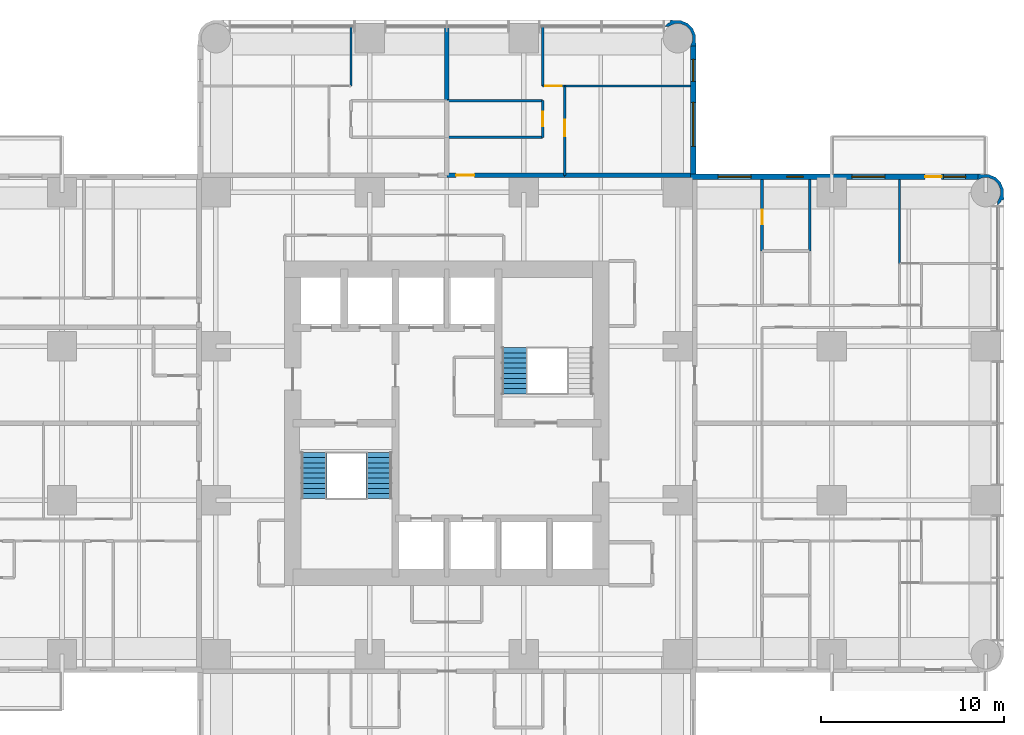
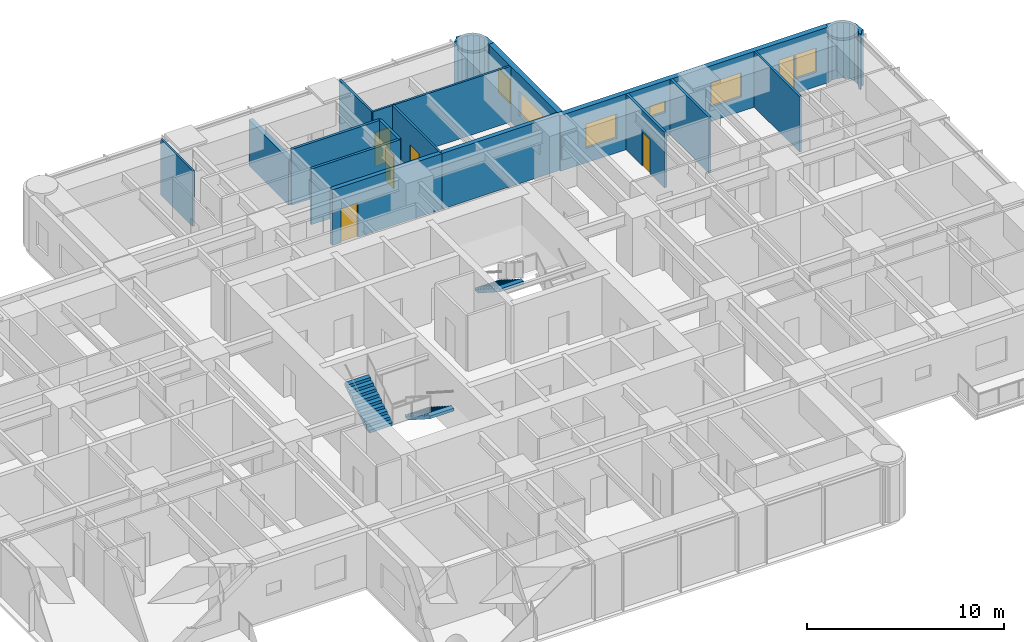
# One storey, part 12 of 15: 18 walls, 6 doors, 6 windows, 3 stair flights, 12 openings, 2 elements without a shape of their own.
"""IFC4 building model written with IfcOpenShell, lengths in metres."""

from ifc_helpers import new_model, si_unit, direction, frame, frame_2d, origin, place, context, subcontext, project, spatial, polyline, rectangle, outline, extrude, material, layer, layer_set, type_object, element, fill, aggregate, save


model = new_model("IFC4")

# Units and contexts
model_context = context("Model", 3, precision=1e-05, world=origin(), true_north=direction((0.0, 1.0)))
body_context = subcontext(model_context, "Body", "Model", "MODEL_VIEW")
ifc_project = project(units=[si_unit("LENGTHUNIT", "METRE"), si_unit("AREAUNIT", "SQUARE_METRE"), si_unit("VOLUMEUNIT", "CUBIC_METRE"), si_unit("PLANEANGLEUNIT", "RADIAN"), si_unit("MASSUNIT", "GRAM", prefix="KILO")], contexts=[model_context])

# Site, building, storey
site_placement = place(None, origin())
site = spatial("IfcSite", under=ifc_project, at=site_placement, CompositionType="ELEMENT")
building_placement = place(site_placement, origin())
building = spatial("IfcBuilding", under=site, at=building_placement, Name="Torre Alcanfor", CompositionType="ELEMENT")
storey_placement = place(building_placement, frame((0.0, 0.0, 116.10009765625)))
storey = spatial("IfcBuildingStorey", under=building, at=storey_placement, Name="L29", CompositionType="ELEMENT", Elevation=116.10009765625)

# Wall, opening, door
ifc_material_1 = material(Name="Concrete block masonry, hollow blocks NMX-C-404 9 MPa", Category="masonry")
ifc_layer_1 = layer(ifc_material_1, 0.25)
ifc_layer_set_1 = layer_set([ifc_layer_1], Name="Apartment entrance wall 250 EI 60")
wall_type_1 = type_object("IfcWallType", Name="Apartment entrance wall 250 EI 60", PredefinedType="PARTITIONING", material=ifc_layer_set_1)
wall_1_placement = place(storey_placement, frame((29.39990234375, 42.925048828125, 0.0), z_axis=(0.0, 0.0, 1.0), x_axis=(1.0, 0.0, 0.0)))
wall_1 = element("IfcWall", 1, at=wall_1_placement, inside=storey, type_object=wall_type_1, Name="Partition L29-CORR / L29-N2-LIVING", PredefinedType="PARTITIONING", context=body_context, shape_type="SweptSolid", body=[
    extrude(rectangle(XDim=6.42919921875, YDim=0.25, at=frame_2d((3.214599609375, 0.0))), origin(), (0.0, 0.0, 1.0), 3.449951171875),
])
opening_1_placement = place(wall_1_placement, frame((0.5, 0.0, 0.0)))
opening_1 = element("IfcOpeningElement", 2, at=opening_1_placement, cuts=wall_1, Name="Opening D-A1", PredefinedType="OPENING", context=body_context, shape_type="SweptSolid", body=[
    extrude(rectangle(XDim=1.0, YDim=2.10009765625, at=frame_2d((0.5, 1.050048828125))), frame((0.0, 0.135009765625, 0.0), z_axis=(0.0, -1.0, 0.0), x_axis=(1.0, 0.0, 0.0)), (0.0, 0.0, 1.0), 0.27001953125),
])
ifc_material_2 = material(Name="Galvanised steel sheet ASTM A653", Category="steel")
door_type_1 = type_object("IfcDoorType", Name="Apartment entrance door FD60 1000x2100", OperationType="SINGLE_SWING_LEFT", PredefinedType="DOOR", material=ifc_material_2)
door_1_placement = place(opening_1_placement, origin())
door_1 = element("IfcDoor", 3, at=door_1_placement, inside=storey, type_object=door_type_1, Name="Apartment entrance L29-N2", OperationType="SINGLE_SWING_LEFT", OverallHeight=2.10009765625, OverallWidth=1.0, PredefinedType="DOOR", context=body_context, shape_type="SweptSolid", body=[
    extrude(rectangle(XDim=1.0, YDim=2.10009765625, at=frame_2d((0.5, 1.050048828125))), frame((0.0, 0.02490234375, 0.0), z_axis=(0.0, -1.0, 0.0), x_axis=(1.0, 0.0, 0.0)), (0.0, 0.0, 1.0), 0.050048828125),
])
fill(opening_1, door_1)

# Walls
wall_2_placement = place(storey_placement, frame((35.8291015625, 42.925048828125, 0.0), z_axis=(0.0, 0.0, 1.0), x_axis=(1.0, 0.0, 0.0)))
element("IfcWall", 4, at=wall_2_placement, inside=storey, type_object=wall_type_1, Name="Partition L29-CORR / L29-N2-BED2", PredefinedType="PARTITIONING", context=body_context, shape_type="SweptSolid", body=[
    extrude(rectangle(XDim=6.870849609375, YDim=0.25, at=frame_2d((3.435546875, 0.0))), origin(), (0.0, 0.0, 1.0), 3.449951171875),
])
ifc_material_3 = material(Name="Gypsum board on steel studs", Category="steel")
ifc_layer_2 = layer(ifc_material_3, 0.1201171875)
ifc_layer_set_2 = layer_set([ifc_layer_2], Name="Apartment partition 120")
wall_type_2 = type_object("IfcWallType", Name="Apartment partition 120", PredefinedType="PARTITIONING", material=ifc_layer_set_2)
wall_3_placement = place(storey_placement, frame((24.1708984375, 47.800048828125, 0.0), z_axis=(0.0, 0.0, 1.0), x_axis=(0.0, 1.0, 0.0)))
element("IfcWall", 5, at=wall_3_placement, inside=storey, type_object=wall_type_2, Name="Partition L29-N1-LIVING / L29-N1-MASTER", PredefinedType="PARTITIONING", context=body_context, shape_type="SweptSolid", body=[
    extrude(rectangle(XDim=3.25, YDim=0.1201171875, at=frame_2d((1.625, 0.0))), origin(), (0.0, 0.0, 1.0), 3.449951171875),
])

# Wall, opening, door
wall_4_placement = place(storey_placement, frame((35.8291015625, 47.800048828125, 0.0), z_axis=(0.0, 0.0, 1.0), x_axis=(0.0, -1.0, 0.0)))
wall_4 = element("IfcWall", 6, at=wall_4_placement, inside=storey, type_object=wall_type_2, Name="Partition L29-N2-LIVING / L29-N2-BED2", PredefinedType="PARTITIONING", context=body_context, shape_type="SweptSolid", body=[
    extrude(rectangle(XDim=4.875, YDim=0.1201171875, at=frame_2d((2.4375, 0.0))), origin(), (0.0, 0.0, 1.0), 3.449951171875),
])
opening_2_placement = place(wall_4_placement, frame((1.85009765625, 0.0, 0.0)))
opening_2 = element("IfcOpeningElement", 7, at=opening_2_placement, cuts=wall_4, Name="Opening D-R1", PredefinedType="OPENING", context=body_context, shape_type="SweptSolid", body=[
    extrude(rectangle(XDim=0.89990234375, YDim=2.10009765625, at=frame_2d((0.449951171875, 1.050048828125))), frame((0.0, 0.070068359375, 0.0), z_axis=(0.0, -1.0, 0.0), x_axis=(1.0, 0.0, 0.0)), (0.0, 0.0, 1.0), 0.14013671875),
])
ifc_material_4 = material(Name="Timber", Category="wood")
door_type_2 = type_object("IfcDoorType", Name="Internal door 900x2100", OperationType="SINGLE_SWING_LEFT", PredefinedType="DOOR", material=ifc_material_4)
door_2_placement = place(opening_2_placement, origin())
door_2 = element("IfcDoor", 8, at=door_2_placement, inside=storey, type_object=door_type_2, Name="Door L29-N2 bed2", OperationType="SINGLE_SWING_LEFT", OverallHeight=2.10009765625, OverallWidth=0.89990234375, PredefinedType="DOOR", context=body_context, shape_type="SweptSolid", body=[
    extrude(rectangle(XDim=0.89990234375, YDim=2.10009765625, at=frame_2d((0.449951171875, 1.050048828125))), frame((0.0, 0.02490234375, 0.0), z_axis=(0.0, -1.0, 0.0), x_axis=(1.0, 0.0, 0.0)), (0.0, 0.0, 1.0), 0.050048828125),
])
fill(opening_2, door_2)

# Wall
wall_5_placement = place(storey_placement, frame((34.62890625, 51.050048828125, 0.0), z_axis=(0.0, 0.0, 1.0), x_axis=(0.0, -1.0, 0.0)))
element("IfcWall", 9, at=wall_5_placement, inside=storey, type_object=wall_type_2, Name="Partition L29-N2-LIVING / L29-N2-MASTER", PredefinedType="PARTITIONING", context=body_context, shape_type="SweptSolid", body=[
    extrude(rectangle(XDim=3.25, YDim=0.1201171875, at=frame_2d((1.625, 0.0))), origin(), (0.0, 0.0, 1.0), 3.449951171875),
])

# Wall, opening, door
wall_6_placement = place(storey_placement, frame((34.62890625, 47.800048828125, 0.0), z_axis=(0.0, 0.0, 1.0), x_axis=(1.0, 0.0, 0.0)))
wall_6 = element("IfcWall", 10, at=wall_6_placement, inside=storey, type_object=wall_type_2, Name="Partition L29-N2-LIVING / L29-N2-MASTER", PredefinedType="PARTITIONING", context=body_context, shape_type="SweptSolid", body=[
    extrude(rectangle(XDim=1.2001953125, YDim=0.1201171875, at=frame_2d((0.60009765625, 0.0))), origin(), (0.0, 0.0, 1.0), 3.449951171875),
])
opening_3_placement = place(wall_6_placement, frame((0.15087890625, 0.0, 0.0)))
opening_3 = element("IfcOpeningElement", 11, at=opening_3_placement, cuts=wall_6, Name="Opening D-R1", PredefinedType="OPENING", context=body_context, shape_type="SweptSolid", body=[
    extrude(rectangle(XDim=0.89990234375, YDim=2.10009765625, at=frame_2d((0.449951171875, 1.050048828125))), frame((0.0, 0.070068359375, 0.0), z_axis=(0.0, -1.0, 0.0), x_axis=(1.0, 0.0, 0.0)), (0.0, 0.0, 1.0), 0.14013671875),
])
door_3_placement = place(opening_3_placement, origin())
door_3 = element("IfcDoor", 12, at=door_3_placement, inside=storey, type_object=door_type_2, Name="Door L29-N2 master", OperationType="SINGLE_SWING_LEFT", OverallHeight=2.10009765625, OverallWidth=0.89990234375, PredefinedType="DOOR", context=body_context, shape_type="SweptSolid", body=[
    extrude(rectangle(XDim=0.89990234375, YDim=2.10009765625, at=frame_2d((0.449951171875, 1.050048828125))), frame((0.0, 0.02490234375, 0.0), z_axis=(0.0, -1.0, 0.0), x_axis=(1.0, 0.0, 0.0)), (0.0, 0.0, 1.0), 0.050048828125),
])
fill(opening_3, door_3)

# Walls
wall_7_placement = place(storey_placement, frame((35.8291015625, 47.800048828125, 0.0), z_axis=(0.0, 0.0, 1.0), x_axis=(1.0, 0.0, 0.0)))
element("IfcWall", 13, at=wall_7_placement, inside=storey, type_object=wall_type_2, Name="Partition L29-N2-BED2 / L29-N2-MASTER", PredefinedType="PARTITIONING", context=body_context, shape_type="SweptSolid", body=[
    extrude(rectangle(XDim=6.870849609375, YDim=0.1201171875, at=frame_2d((3.435546875, 0.0))), origin(), (0.0, 0.0, 1.0), 3.449951171875),
])
wall_8_placement = place(storey_placement, frame((54.10009765625, 38.114013671875, 0.0), z_axis=(0.0, 0.0, 1.0), x_axis=(0.0, 1.0, 0.0)))
element("IfcWall", 14, at=wall_8_placement, inside=storey, type_object=wall_type_2, Name="Partition L29-E1-BED3 / L29-E1-MASTER", PredefinedType="PARTITIONING", context=body_context, shape_type="SweptSolid", body=[
    extrude(rectangle(XDim=4.5859375, YDim=0.1201171875, at=frame_2d((2.29296875, 0.0))), origin(), (0.0, 0.0, 1.0), 3.449951171875),
])

# Wall, openings, door, windows
ifc_material_5 = material(Name="Limestone cladding", Category="masonry")
ifc_layer_3 = layer(ifc_material_5, 0.0400390625, Name="Facing")
ifc_material_6 = material(Name="Ventilated air cavity")
ifc_layer_4 = layer(ifc_material_6, 0.02001953125, ventilated=True, Name="Ventilated joint")
ifc_material_7 = material(Name="Mineral wool insulation", Category="insulation")
ifc_layer_5 = layer(ifc_material_7, 0.10009765625, Name="Insulation")
ifc_material_8 = material(Name="Concrete f'c 35 MPa", Category="concrete")
ifc_layer_6 = layer(ifc_material_8, 0.139892578125, Name="Backing")
ifc_layer_set_3 = layer_set([ifc_layer_3, ifc_layer_4, ifc_layer_5, ifc_layer_6], Name="External wall stone-clad 300")
wall_type_3 = type_object("IfcWallType", Name="External wall stone-clad 300", PredefinedType="SOLIDWALL", material=ifc_layer_set_3)
wall_9_placement = place(storey_placement, frame((58.39990234375, 42.85009765625, 0.0), z_axis=(0.0, 0.0, 1.0), x_axis=(-1.0, 0.0, 0.0)))
wall_9 = element("IfcWall", 15, at=wall_9_placement, inside=storey, type_object=wall_type_3, Name="External wall L29 9", PredefinedType="SOLIDWALL", context=body_context, shape_type="SweptSolid", body=[
    extrude(rectangle(XDim=15.699951171875, YDim=0.300048828125, at=frame_2d((7.85009765625, 0.0))), origin(), (0.0, 0.0, 1.0), 3.449951171875),
])
opening_4_placement = place(wall_9_placement, frame((12.39990234375, 0.0, 0.89990234375)))
opening_4 = element("IfcOpeningElement", 16, at=opening_4_placement, cuts=wall_9, Name="Opening W2", PredefinedType="OPENING", context=body_context, shape_type="SweptSolid", body=[
    extrude(rectangle(XDim=1.800048828125, YDim=1.5, at=frame_2d((0.89990234375, 0.75))), frame((0.0, 0.159912109375, 0.0), z_axis=(0.0, -1.0, 0.0), x_axis=(1.0, 0.0, 0.0)), (0.0, 0.0, 1.0), 0.320068359375),
])
opening_5_placement = place(wall_9_placement, frame((9.550048828125, 0.0, 1.5)))
opening_5 = element("IfcOpeningElement", 17, at=opening_5_placement, cuts=wall_9, Name="Opening W3", PredefinedType="OPENING", context=body_context, shape_type="SweptSolid", body=[
    extrude(rectangle(XDim=0.89990234375, YDim=0.699951171875, at=frame_2d((0.449951171875, 0.35009765625))), frame((0.0, 0.159912109375, 0.0), z_axis=(0.0, -1.0, 0.0), x_axis=(1.0, 0.0, 0.0)), (0.0, 0.0, 1.0), 0.320068359375),
])
opening_6_placement = place(wall_9_placement, frame((5.10009765625, 0.0, 0.89990234375)))
opening_6 = element("IfcOpeningElement", 18, at=opening_6_placement, cuts=wall_9, Name="Opening W2", PredefinedType="OPENING", context=body_context, shape_type="SweptSolid", body=[
    extrude(rectangle(XDim=1.800048828125, YDim=1.5, at=frame_2d((0.89990234375, 0.75))), frame((0.0, 0.159912109375, 0.0), z_axis=(0.0, -1.0, 0.0), x_axis=(1.0, 0.0, 0.0)), (0.0, 0.0, 1.0), 0.320068359375),
])
opening_7_placement = place(wall_9_placement, frame((2.0, 0.0, 0.0)))
opening_7 = element("IfcOpeningElement", 19, at=opening_7_placement, cuts=wall_9, Name="Opening D-B1", PredefinedType="OPENING", context=body_context, shape_type="SweptSolid", body=[
    extrude(rectangle(XDim=0.89990234375, YDim=2.39990234375, at=frame_2d((0.449951171875, 1.199951171875))), frame((0.0, 0.159912109375, 0.0), z_axis=(0.0, -1.0, 0.0), x_axis=(1.0, 0.0, 0.0)), (0.0, 0.0, 1.0), 0.320068359375),
])
opening_8_placement = place(wall_9_placement, frame((0.699951171875, 0.0, 0.89990234375)))
opening_8 = element("IfcOpeningElement", 20, at=opening_8_placement, cuts=wall_9, Name="Opening W4", PredefinedType="OPENING", context=body_context, shape_type="SweptSolid", body=[
    extrude(rectangle(XDim=1.199951171875, YDim=1.5, at=frame_2d((0.60009765625, 0.75))), frame((0.0, 0.159912109375, 0.0), z_axis=(0.0, -1.0, 0.0), x_axis=(1.0, 0.0, 0.0)), (0.0, 0.0, 1.0), 0.320068359375),
])
ifc_material_9 = material(Name="Aluminium and glass", Category="aluminium")
door_type_3 = type_object("IfcDoorType", Name="Balcony door glazed 900x2400", OperationType="SINGLE_SWING_LEFT", PredefinedType="DOOR", material=ifc_material_9)
door_4_placement = place(opening_7_placement, origin())
door_4 = element("IfcDoor", 21, at=door_4_placement, inside=storey, type_object=door_type_3, Name="Balcony door L29-E1", OperationType="SINGLE_SWING_RIGHT", OverallHeight=2.39990234375, OverallWidth=0.89990234375, PredefinedType="DOOR", context=body_context, shape_type="SweptSolid", body=[
    extrude(rectangle(XDim=0.89990234375, YDim=2.39990234375, at=frame_2d((0.449951171875, 1.199951171875))), frame((0.0, 0.02490234375, 0.0), z_axis=(0.0, -1.0, 0.0), x_axis=(1.0, 0.0, 0.0)), (0.0, 0.0, 1.0), 0.050048828125),
])
fill(opening_7, door_4)
ifc_material_10 = material(Name="Aluminium frame with clear double glazing", Category="aluminium")
window_type_1 = type_object("IfcWindowType", Name="Window bathroom 900x700", PartitioningType="SINGLE_PANEL", PredefinedType="WINDOW", material=ifc_material_10)
window_1_placement = place(opening_5_placement, origin())
window_1 = element("IfcWindow", 22, at=window_1_placement, inside=storey, type_object=window_type_1, Name="Window W3 L29-E1", OverallHeight=0.699951171875, OverallWidth=0.89990234375, PartitioningType="SINGLE_PANEL", PredefinedType="WINDOW", context=body_context, shape_type="SweptSolid", body=[
    extrude(rectangle(XDim=0.89990234375, YDim=0.699951171875, at=frame_2d((0.449951171875, 0.35009765625))), frame((0.0, 0.030029296875, 0.0), z_axis=(0.0, -1.0, 0.0), x_axis=(1.0, 0.0, 0.0)), (0.0, 0.0, 1.0), 0.06005859375),
])
fill(opening_5, window_1)
ifc_material_11 = material(Name="Aluminium frame with clear double glazing", Category="aluminium")
window_type_2 = type_object("IfcWindowType", Name="Window bedroom 1200x1500", PartitioningType="SINGLE_PANEL", PredefinedType="WINDOW", material=ifc_material_11)
window_2_placement = place(opening_8_placement, origin())
window_2 = element("IfcWindow", 23, at=window_2_placement, inside=storey, type_object=window_type_2, Name="Window W4 L29-E1", OverallHeight=1.5, OverallWidth=1.199951171875, PartitioningType="SINGLE_PANEL", PredefinedType="WINDOW", context=body_context, shape_type="SweptSolid", body=[
    extrude(rectangle(XDim=1.199951171875, YDim=1.5, at=frame_2d((0.60009765625, 0.75))), frame((0.0, 0.030029296875, 0.0), z_axis=(0.0, -1.0, 0.0), x_axis=(1.0, 0.0, 0.0)), (0.0, 0.0, 1.0), 0.06005859375),
])
fill(opening_8, window_2)
ifc_material_12 = material(Name="Aluminium frame with clear double glazing", Category="aluminium")
window_type_3 = type_object("IfcWindowType", Name="Window bedroom 1800x1500", PartitioningType="SINGLE_PANEL", PredefinedType="WINDOW", material=ifc_material_12)
window_3_placement = place(opening_4_placement, origin())
window_3 = element("IfcWindow", 24, at=window_3_placement, inside=storey, type_object=window_type_3, Name="Window W2 L29-E1", OverallHeight=1.5, OverallWidth=1.800048828125, PartitioningType="SINGLE_PANEL", PredefinedType="WINDOW", context=body_context, shape_type="SweptSolid", body=[
    extrude(rectangle(XDim=1.800048828125, YDim=1.5, at=frame_2d((0.89990234375, 0.75))), frame((0.0, 0.030029296875, 0.0), z_axis=(0.0, -1.0, 0.0), x_axis=(1.0, 0.0, 0.0)), (0.0, 0.0, 1.0), 0.06005859375),
])
fill(opening_4, window_3)
window_4_placement = place(opening_6_placement, origin())
window_4 = element("IfcWindow", 25, at=window_4_placement, inside=storey, type_object=window_type_3, Name="Window W2 L29-E1", OverallHeight=1.5, OverallWidth=1.800048828125, PartitioningType="SINGLE_PANEL", PredefinedType="WINDOW", context=body_context, shape_type="SweptSolid", body=[
    extrude(rectangle(XDim=1.800048828125, YDim=1.5, at=frame_2d((0.89990234375, 0.75))), frame((0.0, 0.030029296875, 0.0), z_axis=(0.0, -1.0, 0.0), x_axis=(1.0, 0.0, 0.0)), (0.0, 0.0, 1.0), 0.06005859375),
])
fill(opening_6, window_4)

# Wall, openings, windows
wall_10_placement = place(storey_placement, frame((42.85009765625, 43.0, 0.0), z_axis=(0.0, 0.0, 1.0), x_axis=(0.0, 1.0, 0.0)))
wall_10 = element("IfcWall", 26, at=wall_10_placement, inside=storey, type_object=wall_type_3, Name="External wall L29 10", PredefinedType="SOLIDWALL", context=body_context, shape_type="SweptSolid", body=[
    extrude(rectangle(XDim=7.0, YDim=0.300048828125, at=frame_2d((3.5, 0.0))), origin(), (0.0, 0.0, 1.0), 3.449951171875),
])
opening_9_placement = place(wall_10_placement, frame((1.5, 0.0, 0.89990234375)))
opening_9 = element("IfcOpeningElement", 27, at=opening_9_placement, cuts=wall_10, Name="Opening W1", PredefinedType="OPENING", context=body_context, shape_type="SweptSolid", body=[
    extrude(rectangle(XDim=2.39990234375, YDim=1.5, at=frame_2d((1.199951171875, 0.75))), frame((0.0, 0.159912109375, 0.0), z_axis=(0.0, -1.0, 0.0), x_axis=(1.0, 0.0, 0.0)), (0.0, 0.0, 1.0), 0.320068359375),
])
opening_10_placement = place(wall_10_placement, frame((5.050048828125, 0.0, 0.89990234375)))
opening_10 = element("IfcOpeningElement", 28, at=opening_10_placement, cuts=wall_10, Name="Opening W4", PredefinedType="OPENING", context=body_context, shape_type="SweptSolid", body=[
    extrude(rectangle(XDim=1.199951171875, YDim=1.5, at=frame_2d((0.60009765625, 0.75))), frame((0.0, 0.159912109375, 0.0), z_axis=(0.0, -1.0, 0.0), x_axis=(1.0, 0.0, 0.0)), (0.0, 0.0, 1.0), 0.320068359375),
])
window_5_placement = place(opening_10_placement, origin())
window_5 = element("IfcWindow", 29, at=window_5_placement, inside=storey, type_object=window_type_2, Name="Window W4 L29-N2", OverallHeight=1.5, OverallWidth=1.199951171875, PartitioningType="SINGLE_PANEL", PredefinedType="WINDOW", context=body_context, shape_type="SweptSolid", body=[
    extrude(rectangle(XDim=1.199951171875, YDim=1.5, at=frame_2d((0.60009765625, 0.75))), frame((0.0, 0.030029296875, 0.0), z_axis=(0.0, -1.0, 0.0), x_axis=(1.0, 0.0, 0.0)), (0.0, 0.0, 1.0), 0.06005859375),
])
fill(opening_10, window_5)
ifc_material_13 = material(Name="Aluminium frame with clear double glazing", Category="aluminium")
window_type_4 = type_object("IfcWindowType", Name="Window bedroom 2400x1500", PartitioningType="SINGLE_PANEL", PredefinedType="WINDOW", material=ifc_material_13)
window_6_placement = place(opening_9_placement, origin())
window_6 = element("IfcWindow", 30, at=window_6_placement, inside=storey, type_object=window_type_4, Name="Window W1 L29-N2", OverallHeight=1.5, OverallWidth=2.39990234375, PartitioningType="SINGLE_PANEL", PredefinedType="WINDOW", context=body_context, shape_type="SweptSolid", body=[
    extrude(rectangle(XDim=2.39990234375, YDim=1.5, at=frame_2d((1.199951171875, 0.75))), frame((0.0, 0.030029296875, 0.0), z_axis=(0.0, -1.0, 0.0), x_axis=(1.0, 0.0, 0.0)), (0.0, 0.0, 1.0), 0.06005859375),
])
fill(opening_9, window_6)

# Walls
ifc_material_14 = material(Name="Concrete block masonry, hollow blocks NMX-C-404 9 MPa", Category="masonry")
ifc_layer_7 = layer(ifc_material_14, 0.25)
ifc_layer_set_4 = layer_set([ifc_layer_7], Name="Party wall 250 EI 60")
wall_type_4 = type_object("IfcWallType", Name="Party wall 250 EI 60", PredefinedType="PARTITIONING", material=ifc_layer_set_4)
wall_11_placement = place(storey_placement, frame((29.39990234375, 51.050048828125, 0.0), z_axis=(0.0, 0.0, 1.0), x_axis=(0.0, -1.0, 0.0)))
element("IfcWall", 31, at=wall_11_placement, inside=storey, type_object=wall_type_4, Name="Partition L29-N1-LIVING / L29-N2-LIVING", PredefinedType="PARTITIONING", context=body_context, shape_type="SweptSolid", body=[
    extrude(rectangle(XDim=4.050048828125, YDim=0.25, at=frame_2d((2.02490234375, 0.0))), origin(), (0.0, 0.0, 1.0), 2.847900390625),
])
ifc_layer_8 = layer(ifc_material_5, 0.0400390625, Name="Facing")
ifc_layer_9 = layer(ifc_material_6, 0.02001953125, ventilated=True, Name="Ventilated joint")
ifc_layer_10 = layer(ifc_material_7, 0.10009765625, Name="Insulation")
ifc_layer_11 = layer(ifc_material_8, 0.139892578125, Name="Backing")
ifc_layer_set_5 = layer_set([ifc_layer_8, ifc_layer_9, ifc_layer_10, ifc_layer_11], Name="Rounded corner pier stone-clad 300")
wall_type_5 = type_object("IfcWallType", Name="Rounded corner pier stone-clad 300", PredefinedType="SOLIDWALL", material=ifc_layer_set_5)
wall_12_placement = place(storey_placement, frame((59.395317512, 41.351928198, 0.0), z_axis=(0.0, 0.0, 1.0), x_axis=(0.93923434088, 0.343276641956, 0.0)))
element("IfcWall", 32, at=wall_12_placement, inside=storey, type_object=wall_type_5, Name="Corner pier L29 18", PredefinedType="SOLIDWALL", context=body_context, shape_type="SweptSolid", body=[
    extrude(outline(polyline([(0.5319791374717469, 0.3931546875748424), (0.6305370795958255, 0.662817672163305), (0.614285462759775, 1.044364627998893), (0.4533652442516045, 1.3906676424071163), (0.17222000156622597, 1.6491237258576117), (-0.09744298302223653, 1.7476816679816904), (-0.36918355555989557, 1.8896284089825286), (-0.509101456401082, 1.6213052972671853), (-0.49052773042177455, 1.6145168675800676), (-0.47941981662998623, 1.6086375342973744), (-0.2113919059229058, 1.6201101578142136), (0.08785145707704622, 1.5107410128550955), (0.32257352025202113, 1.2952455132706726), (0.4567838912150332, 1.0060128786275908), (0.47036434537540095, 0.687566849311498), (0.36107900819019806, 0.38855279157054984), (0.14535420334677107, 0.1539145361694899), (0.10800994465551556, 0.13637103018492347), (0.030906792653685306, -0.07458980809856762), (0.2410056377422186, 0.023039004395991533), (0.3334055822831027, 0.12365495968313633), (0.46532832919806827, 0.0941544704520565), (0.5319791374717469, 0.3931546875748424)])), origin(), (0.0, 0.0, 1.0), 3.449951171875),
])
wall_13_placement = place(storey_placement, frame((42.817059488, 50.073176205, 0.0), z_axis=(0.0, 0.0, 1.0), x_axis=(0.343276641956, 0.93923434088, 0.0)))
element("IfcWall", 33, at=wall_13_placement, inside=storey, type_object=wall_type_5, Name="Corner pier L29 19", PredefinedType="SOLIDWALL", context=body_context, shape_type="SweptSolid", body=[
    extrude(outline(polyline([(0.2655808672444785, -0.0550807599050476), (0.5354731570919448, 0.04356098999294611), (0.8166183997773234, 0.30201707344344164), (0.9775386182854939, 0.6483200878516648), (0.9937902351215443, 1.0298670436872528), (0.8952322929974657, 1.2995300282757154), (0.8283521794647835, 1.5984464376245864), (0.6966587378088214, 1.5690297561674216), (0.6042587932679374, 1.6696457114545662), (0.39415994817940425, 1.7672745239491254), (0.47126310018123446, 1.5563136856656343), (0.50860735887249, 1.538770179681068), (0.7241028584569131, 1.304048116506093), (0.833388195642116, 1.0050340587651447), (0.8200370467407522, 0.686671837222967), (0.68582667577774, 0.3974392025798854), (0.4511046126027651, 0.18194370299546214), (0.15186124960281305, 0.07257455803634424), (-0.11616666110426738, 0.08404718155318341), (-0.12750388015505948, 0.07808404049657515), (-0.14607760613436685, 0.07129561080945748), (-0.0059304000341767055, -0.19694369313197083), (0.2655808672444785, -0.0550807599050476)])), origin(), (0.0, 0.0, 1.0), 3.449951171875),
])
ifc_material_15 = material(Name="Cement board on steel studs", Category="steel")
ifc_layer_12 = layer(ifc_material_15, 0.14990234375)
ifc_layer_set_6 = layer_set([ifc_layer_12], Name="Wet area partition 150")
wall_type_6 = type_object("IfcWallType", Name="Wet area partition 150", PredefinedType="PARTITIONING", material=ifc_layer_set_6)
wall_14_placement = place(storey_placement, frame((29.39990234375, 47.0, 0.0), z_axis=(0.0, 0.0, 1.0), x_axis=(1.0, 0.0, 0.0)))
element("IfcWall", 34, at=wall_14_placement, inside=storey, type_object=wall_type_6, Name="Partition L29-N2-BATH / L29-N2-LIVING", PredefinedType="PARTITIONING", context=body_context, shape_type="SweptSolid", body=[
    extrude(rectangle(XDim=5.22900390625, YDim=0.14990234375, at=frame_2d((2.614501953125, 0.0))), origin(), (0.0, 0.0, 1.0), 3.449951171875),
])

# Wall, opening, door
wall_15_placement = place(storey_placement, frame((34.62890625, 47.0, 0.0), z_axis=(0.0, 0.0, 1.0), x_axis=(0.0, -1.0, 0.0)))
wall_15 = element("IfcWall", 35, at=wall_15_placement, inside=storey, type_object=wall_type_6, Name="Partition L29-N2-BATH / L29-N2-LIVING", PredefinedType="PARTITIONING", context=body_context, shape_type="SweptSolid", body=[
    extrude(rectangle(XDim=2.0, YDim=0.14990234375, at=frame_2d((1.0, 0.0))), origin(), (0.0, 0.0, 1.0), 3.449951171875),
])
opening_11_placement = place(wall_15_placement, frame((0.60009765625, 0.0, 0.0)))
opening_11 = element("IfcOpeningElement", 36, at=opening_11_placement, cuts=wall_15, Name="Opening D-R2", PredefinedType="OPENING", context=body_context, shape_type="SweptSolid", body=[
    extrude(rectangle(XDim=0.800048828125, YDim=2.10009765625, at=frame_2d((0.39990234375, 1.050048828125))), frame((0.0, 0.0849609375, 0.0), z_axis=(0.0, -1.0, 0.0), x_axis=(1.0, 0.0, 0.0)), (0.0, 0.0, 1.0), 0.169921875),
])
ifc_material_16 = material(Name="Timber", Category="wood")
door_type_4 = type_object("IfcDoorType", Name="Bathroom door 800x2100", OperationType="SINGLE_SWING_LEFT", PredefinedType="DOOR", material=ifc_material_16)
door_5_placement = place(opening_11_placement, frame((0.800048828125, 0.0, 0.0), z_axis=(0.0, 0.0, 1.0), x_axis=(-1.0, 0.0, 0.0)))
door_5 = element("IfcDoor", 37, at=door_5_placement, inside=storey, type_object=door_type_4, Name="Door L29-N2 bath", OperationType="SINGLE_SWING_RIGHT", OverallHeight=2.10009765625, OverallWidth=0.800048828125, PredefinedType="DOOR", context=body_context, shape_type="SweptSolid", body=[
    extrude(rectangle(XDim=0.800048828125, YDim=2.10009765625, at=frame_2d((0.400146484375, 1.050048828125))), frame((0.0, 0.025146484375, 0.0), z_axis=(0.0, -1.0, 0.0), x_axis=(1.0, 0.0, 0.0)), (0.0, 0.0, 1.0), 0.050048828125),
])
fill(opening_11, door_5)

# Wall
wall_16_placement = place(storey_placement, frame((34.62890625, 45.0, 0.0), z_axis=(0.0, 0.0, 1.0), x_axis=(-1.0, 0.0, 0.0)))
element("IfcWall", 38, at=wall_16_placement, inside=storey, type_object=wall_type_6, Name="Partition L29-N2-BATH / L29-N2-LIVING", PredefinedType="PARTITIONING", context=body_context, shape_type="SweptSolid", body=[
    extrude(rectangle(XDim=5.22900390625, YDim=0.14990234375, at=frame_2d((2.614501953125, 0.0))), origin(), (0.0, 0.0, 1.0), 3.449951171875),
])

# Wall, opening, door
wall_17_placement = place(storey_placement, frame((46.60009765625, 38.800048828125, 0.0), z_axis=(0.0, 0.0, 1.0), x_axis=(0.0, 1.0, 0.0)))
wall_17 = element("IfcWall", 39, at=wall_17_placement, inside=storey, type_object=wall_type_6, Name="Partition L29-E1-SERV / L29-E1-SBATH", PredefinedType="PARTITIONING", context=body_context, shape_type="SweptSolid", body=[
    extrude(rectangle(XDim=3.89990234375, YDim=0.14990234375, at=frame_2d((1.949951171875, 0.0))), origin(), (0.0, 0.0, 1.0), 3.449951171875),
])
opening_12_placement = place(wall_17_placement, frame((1.449951171875, 0.0, 0.0)))
opening_12 = element("IfcOpeningElement", 40, at=opening_12_placement, cuts=wall_17, Name="Opening D-R2", PredefinedType="OPENING", context=body_context, shape_type="SweptSolid", body=[
    extrude(rectangle(XDim=0.800048828125, YDim=2.10009765625, at=frame_2d((0.39990234375, 1.050048828125))), frame((0.0, 0.0849609375, 0.0), z_axis=(0.0, -1.0, 0.0), x_axis=(1.0, 0.0, 0.0)), (0.0, 0.0, 1.0), 0.169921875),
])
door_6_placement = place(opening_12_placement, frame((0.800048828125, 0.0, 0.0), z_axis=(0.0, 0.0, 1.0), x_axis=(-1.0, 0.0, 0.0)))
door_6 = element("IfcDoor", 41, at=door_6_placement, inside=storey, type_object=door_type_4, Name="Door L29-E1 sbath", OperationType="SINGLE_SWING_RIGHT", OverallHeight=2.10009765625, OverallWidth=0.800048828125, PredefinedType="DOOR", context=body_context, shape_type="SweptSolid", body=[
    extrude(rectangle(XDim=0.800048828125, YDim=2.10009765625, at=frame_2d((0.400146484375, 1.050048828125))), frame((0.0, 0.025146484375, 0.0), z_axis=(0.0, -1.0, 0.0), x_axis=(1.0, 0.0, 0.0)), (0.0, 0.0, 1.0), 0.050048828125),
])
fill(opening_12, door_6)

# Wall
wall_18_placement = place(storey_placement, frame((49.199951171875, 38.800048828125, 0.0), z_axis=(0.0, 0.0, 1.0), x_axis=(0.0, 1.0, 0.0)))
element("IfcWall", 42, at=wall_18_placement, inside=storey, type_object=wall_type_6, Name="Partition L29-E1-SBATH / L29-E1-BED3", PredefinedType="PARTITIONING", context=body_context, shape_type="SweptSolid", body=[
    extrude(rectangle(XDim=3.89990234375, YDim=0.14990234375, at=frame_2d((1.949951171875, 0.0))), origin(), (0.0, 0.0, 1.0), 3.449951171875),
])

# Stair, stair flights
ifc_material_17 = material(Name="Concrete f'c 35 MPa", Category="concrete")
stair_type_1 = type_object("IfcStairType", Name="Exit stair S1 1400 wide", PredefinedType="HALF_TURN_STAIR", material=ifc_material_17)
stair_1_placement = place(storey_placement, origin())
stair_1 = element("IfcStair", 43, at=stair_1_placement, inside=storey, type_object=stair_type_1, Name="Stair S1 L29 to L30", PredefinedType="HALF_TURN_STAIR")
ifc_material_18 = material(Name="Concrete f'c 35 MPa", Category="concrete")
stair_flight_type = type_object("IfcStairFlightType", Name="Stair flight 1400", PredefinedType="STRAIGHT", material=ifc_material_18)
stair_flight_1_placement = place(storey_placement, frame((25.699951171875, 27.800048828125, 0.0), z_axis=(0.0, 0.0, 1.0), x_axis=(0.0, -1.0, 0.0)))
stair_flight_1 = element("IfcStairFlight", 44, at=stair_flight_1_placement, type_object=stair_flight_type, Name="S1 flight 1", NumberOfRisers=10, NumberOfTreads=9, PredefinedType="STRAIGHT", RiserHeight=0.18, TreadLength=0.28, context=body_context, shape_type="SweptSolid", body=[
    extrude(outline(polyline([(0.0, 0.0), (0.0, 0.179931640625), (0.280029296875, 0.179931640625), (0.280029296875, 0.360107421875), (0.56005859375, 0.360107421875), (0.56005859375, 0.5400390625), (0.840087890625, 0.5400390625), (0.840087890625, 0.719970703125), (1.1201171875, 0.719970703125), (1.1201171875, 0.89990234375), (1.39990234375, 0.89990234375), (1.39990234375, 1.080078125), (1.679931640625, 1.080078125), (1.679931640625, 1.260009765625), (1.9599609375, 1.260009765625), (1.9599609375, 1.43994140625), (2.239990234375, 1.43994140625), (2.239990234375, 1.6201171875), (2.52001953125, 1.6201171875), (2.52001953125, 1.800048828125), (2.52001953125, 1.44189453125), (0.277099609375, 0.0), (0.0, 0.0)])), frame((0.0, 0.699951171875, 0.0), z_axis=(0.0, -1.0, 0.0), x_axis=(1.0, 0.0, 0.0)), (0.0, 0.0, 1.0), 1.39990234375),
])
stair_flight_2_placement = place(storey_placement, frame((22.14990234375, 25.280029296875, 1.7998046875), z_axis=(0.0, 0.0, 1.0), x_axis=(0.0, 1.0, 0.0)))
stair_flight_2 = element("IfcStairFlight", 45, at=stair_flight_2_placement, type_object=stair_flight_type, Name="S1 flight 2", NumberOfRisers=10, NumberOfTreads=9, PredefinedType="STRAIGHT", RiserHeight=0.18, TreadLength=0.28, context=body_context, shape_type="SweptSolid", body=[
    extrude(outline(polyline([(0.0, 0.0), (0.0, 0.179931640625), (0.280029296875, 0.179931640625), (0.280029296875, 0.360107421875), (0.56005859375, 0.360107421875), (0.56005859375, 0.5400390625), (0.840087890625, 0.5400390625), (0.840087890625, 0.719970703125), (1.1201171875, 0.719970703125), (1.1201171875, 0.89990234375), (1.39990234375, 0.89990234375), (1.39990234375, 1.080078125), (1.679931640625, 1.080078125), (1.679931640625, 1.260009765625), (1.9599609375, 1.260009765625), (1.9599609375, 1.43994140625), (2.239990234375, 1.43994140625), (2.239990234375, 1.6201171875), (2.52001953125, 1.6201171875), (2.52001953125, 1.800048828125), (2.52001953125, 1.44189453125), (0.277099609375, 0.0), (0.0, 0.0)])), frame((0.0, 0.699951171875, 0.0), z_axis=(0.0, -1.0, 0.0), x_axis=(1.0, 0.0, 0.0)), (0.0, 0.0, 1.0), 1.39990234375),
])
aggregate(stair_1, [stair_flight_1, stair_flight_2])

# Stair, stair flight
ifc_material_19 = material(Name="Concrete f'c 35 MPa", Category="concrete")
stair_type_2 = type_object("IfcStairType", Name="Exit stair S2 1400 wide", PredefinedType="HALF_TURN_STAIR", material=ifc_material_19)
stair_2_placement = place(storey_placement, origin())
stair_2 = element("IfcStair", 46, at=stair_2_placement, inside=storey, type_object=stair_type_2, Name="Stair S2 L29 to L30", PredefinedType="HALF_TURN_STAIR")
stair_flight_3_placement = place(storey_placement, frame((33.10009765625, 33.52001953125, 1.7998046875), z_axis=(0.0, 0.0, 1.0), x_axis=(0.0, -1.0, 0.0)))
stair_flight_3 = element("IfcStairFlight", 47, at=stair_flight_3_placement, type_object=stair_flight_type, Name="S2 flight 2", NumberOfRisers=10, NumberOfTreads=9, PredefinedType="STRAIGHT", RiserHeight=0.18, TreadLength=0.28, context=body_context, shape_type="SweptSolid", body=[
    extrude(outline(polyline([(0.0, 0.0), (0.0, 0.179931640625), (0.280029296875, 0.179931640625), (0.280029296875, 0.360107421875), (0.56005859375, 0.360107421875), (0.56005859375, 0.5400390625), (0.840087890625, 0.5400390625), (0.840087890625, 0.719970703125), (1.1201171875, 0.719970703125), (1.1201171875, 0.89990234375), (1.39990234375, 0.89990234375), (1.39990234375, 1.080078125), (1.679931640625, 1.080078125), (1.679931640625, 1.260009765625), (1.9599609375, 1.260009765625), (1.9599609375, 1.43994140625), (2.239990234375, 1.43994140625), (2.239990234375, 1.6201171875), (2.52001953125, 1.6201171875), (2.52001953125, 1.800048828125), (2.52001953125, 1.44189453125), (0.277099609375, 0.0), (0.0, 0.0)])), frame((0.0, 0.699951171875, 0.0), z_axis=(0.0, -1.0, 0.0), x_axis=(1.0, 0.0, 0.0)), (0.0, 0.0, 1.0), 1.39990234375),
])
aggregate(stair_2, [stair_flight_3])

save(model, "model.ifc")
